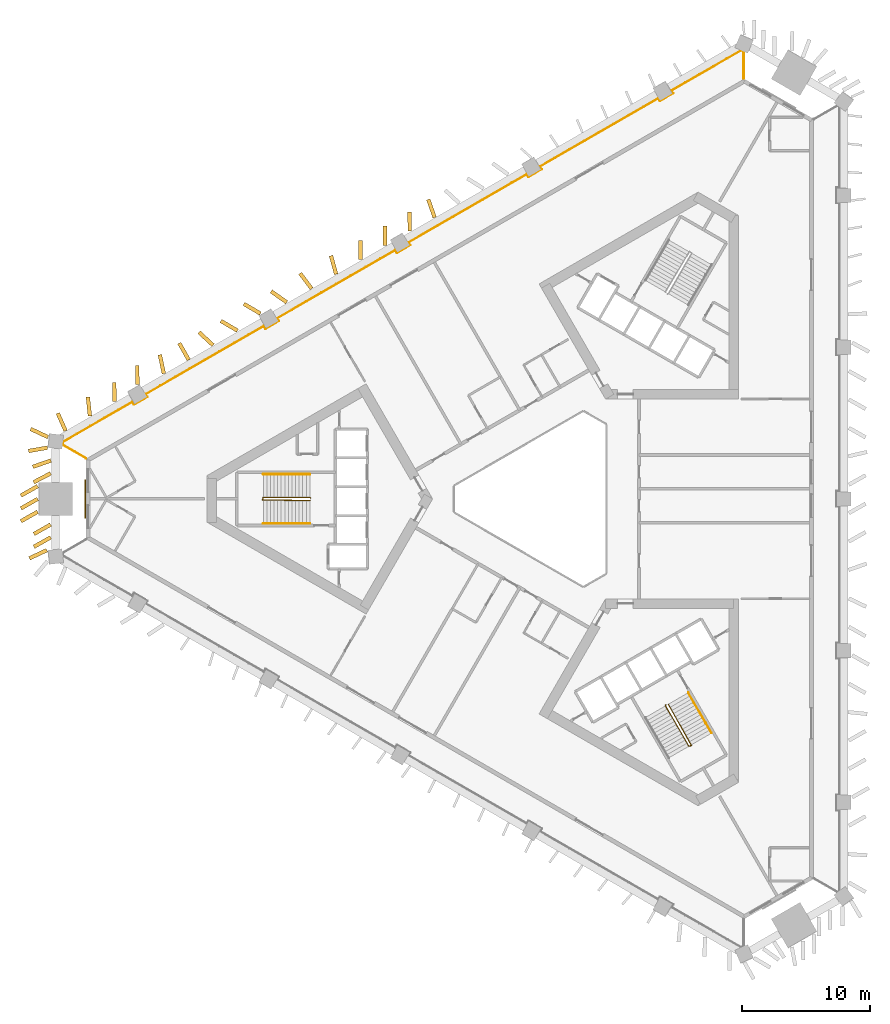
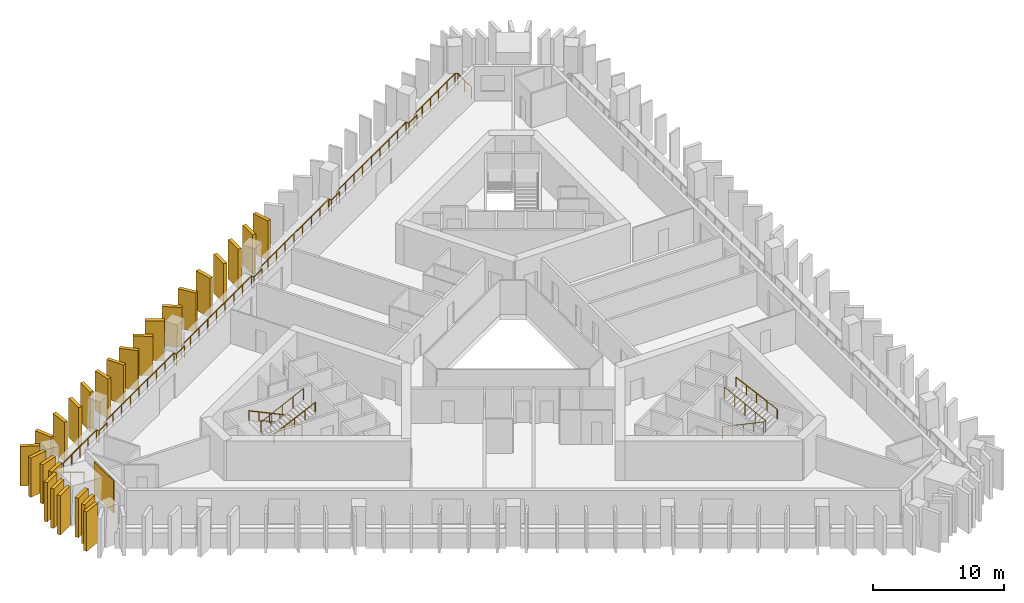
# One storey, part 9 of 11: 26 shading devices, 6 railings, 1 covering.
"""IFC4 building model written with IfcOpenShell, lengths in metres."""

import ifcopenshell
import ifcopenshell.guid

model = None  # the IFC model being written
_history = None  # IfcOwnerHistory: only IFC2X3 demands one
_inside = {}  # id of a spatial element -> (the spatial element, [elements in it])
_under = {}  # id of a project, library or spatial element -> (it, [spatial elements below it])
_declared = {}  # id of a project -> (the project, [libraries it declares])
_typed = {}  # id of a type object -> (the type object, [elements of that type])
_made_of = {}  # id of a material, layer set ... -> (it, [elements and type objects made of it])


def new_model(schema):
    """Start an empty IFC model of exactly this schema.

    Asked for "IFC4X3", IfcOpenShell would pick the latest addendum, in which some entities
    have other attributes; the version numbers below select the first issue.
    IFC2X3 requires an IfcOwnerHistory on every rooted entity: one is made here for all.
    """
    global model, _history
    if schema == "IFC4X3":
        model = ifcopenshell.file(schema_version=(4, 3, 0, 0))
    else:
        model = ifcopenshell.file(schema=schema)
    _inside.clear()
    _under.clear()
    _declared.clear()
    _typed.clear()
    _made_of.clear()
    _history = None
    if model.schema == "IFC2X3":
        org = make("IfcOrganization", Name="unknown")
        user = make(
            "IfcPersonAndOrganization",
            ThePerson=make("IfcPerson", FamilyName="unknown"),
            TheOrganization=org,
        )
        app = make(
            "IfcApplication",
            ApplicationDeveloper=org,
            Version="unknown",
            ApplicationFullName="unknown",
            ApplicationIdentifier="unknown",
        )
        _history = make(
            "IfcOwnerHistory",
            OwningUser=user,
            OwningApplication=app,
            ChangeAction="ADDED",
            CreationDate=0,
        )
    return model


def make(cls, **values):
    """One entity of the class cls with the attributes given. An attribute that is None is left unset."""
    return model.create_entity(
        cls, **{name: value for name, value in values.items() if value is not None}
    )


def rooted(cls, **values):
    """An entity with a GlobalId (a new one), such as an element, a storey or a relation."""
    return make(cls, GlobalId=ifcopenshell.guid.new(), OwnerHistory=_history, **values)


def si_unit(unit_type, name, prefix=None):
    """IfcSIUnit, for example si_unit("LENGTHUNIT", "METRE", prefix="MILLI")."""
    return make("IfcSIUnit", UnitType=unit_type, Prefix=prefix, Name=name)


def assignment(units):
    """IfcUnitAssignment: the units of a project."""
    return None if units is None else make("IfcUnitAssignment", Units=units)


def point(xyz):
    """IfcCartesianPoint."""
    return None if xyz is None else make("IfcCartesianPoint", Coordinates=xyz)


def direction(xyz):
    """IfcDirection."""
    return None if xyz is None else make("IfcDirection", DirectionRatios=xyz)


def frame(location, z_axis=None, x_axis=None):
    """IfcAxis2Placement3D, a coordinate frame: its origin and axes. An axis left out is left unset."""
    return make(
        "IfcAxis2Placement3D",
        Location=point(location),
        Axis=direction(z_axis),
        RefDirection=direction(x_axis),
    )


def frame_2d(location, x_axis=None):
    """IfcAxis2Placement2D, a coordinate frame in the plane: its origin and x axis."""
    return make(
        "IfcAxis2Placement2D", Location=point(location), RefDirection=direction(x_axis)
    )


def origin():
    """The frame at (0, 0, 0) with its axes left unset."""
    return frame((0.0, 0.0, 0.0))


def origin_2d():
    """The frame at (0, 0) in the plane with its x axis left unset."""
    return frame_2d((0.0, 0.0))


def place(relative_to, where):
    """IfcLocalPlacement: puts the frame where relative to a parent placement (None: the world)."""
    return make(
        "IfcLocalPlacement", PlacementRelTo=relative_to, RelativePlacement=where
    )


def context(
    kind, dimensions, precision=None, world=None, true_north=None, identifier=None
):
    """IfcGeometricRepresentationContext, for example the 3D "Model" context."""
    return make(
        "IfcGeometricRepresentationContext",
        ContextIdentifier=identifier,
        ContextType=kind,
        CoordinateSpaceDimension=dimensions,
        Precision=precision,
        WorldCoordinateSystem=world,
        TrueNorth=true_north,
    )


def subcontext(parent, identifier, kind, view, scale=None):
    """IfcGeometricRepresentationSubContext, for example "Body" below "Model"."""
    return make(
        "IfcGeometricRepresentationSubContext",
        ContextIdentifier=identifier,
        ContextType=kind,
        ParentContext=parent,
        TargetScale=scale,
        TargetView=view,
    )


def project(units=None, contexts=None):
    """IfcProject with its units and contexts."""
    return rooted(
        "IfcProject",
        Name="project",
        RepresentationContexts=contexts,
        UnitsInContext=assignment(units),
    )


def spatial(cls, under=None, at=None, **own):
    """A site, building, storey or space (cls), placed at a placement, below another one or the project."""
    s = rooted(cls, ObjectPlacement=at, **own)
    if under is not None:
        _under.setdefault(under.id(), (under, []))[1].append(s)
    return s


def profile(cls, at=None, kind="AREA", **sizes):
    """A parametric profile (cls). Its sizes go by their IFC names, for example OverallWidth=200.0."""
    return make(cls, ProfileType=kind, Position=at, **sizes)


def rectangle(**sizes):
    """IfcRectangleProfileDef."""
    return profile("IfcRectangleProfileDef", **sizes)


def circle(**sizes):
    """IfcCircleProfileDef."""
    return profile("IfcCircleProfileDef", **sizes)


def extrude(swept, where, along, depth):
    """IfcExtrudedAreaSolid: the profile swept, set in the frame where, extruded along a direction by depth."""
    return make(
        "IfcExtrudedAreaSolid",
        SweptArea=swept,
        Position=where,
        ExtrudedDirection=direction(along),
        Depth=depth,
    )


def shape(context_of_items, identifier, shape_type, items):
    """IfcShapeRepresentation: the items that make up one representation, for example the "Body"."""
    return make(
        "IfcShapeRepresentation",
        ContextOfItems=context_of_items,
        RepresentationIdentifier=identifier,
        RepresentationType=shape_type,
        Items=items,
    )


def material(Name=None, Category=None):
    """IfcMaterial."""
    return make("IfcMaterial", Name=Name, Category=Category)


def layer(
    of_material, thickness, ventilated=None, Name=None, Category=None, Priority=None
):
    """IfcMaterialLayer: one layer of a wall or slab, of a material (None: an air gap)."""
    return make(
        "IfcMaterialLayer",
        Material=of_material,
        LayerThickness=thickness,
        IsVentilated=ventilated,
        Name=Name,
        Category=Category,
        Priority=Priority,
    )


def layer_set(layers, Name=None):
    """IfcMaterialLayerSet."""
    return make("IfcMaterialLayerSet", MaterialLayers=layers, LayerSetName=Name)


def made_of(thing, what):
    """Note that an element or type object is made of a material, layer set ...; save() writes the relation."""
    if what is not None:
        _made_of.setdefault(what.id(), (what, []))[1].append(thing)
    return thing


def type_object(cls, material=None, **own):
    """A type object (cls), such as IfcWallType, which elements share."""
    return made_of(rooted(cls, **own), material)


def element(
    cls,
    number,
    at=None,
    inside=None,
    cuts=None,
    type_object=None,
    material=None,
    context=None,
    identifier="Body",
    shape_type=None,
    held_by="IfcProductDefinitionShape",
    body=None,
    shapes=None,
    **own,
):
    """One element of the class cls, such as IfcWall. Its Tag is "e" and its number.

    at: its placement. inside: the storey or other place that contains it. cuts: it is an
    opening in that element (IfcRelVoidsElement). A single representation is given by context,
    identifier, shape_type and body (its items); several are given by shapes. held_by: the class
    of the entity that holds the representations. save() writes the other relations.
    """
    e = rooted(cls, Tag="e%d" % number, ObjectPlacement=at, **own)
    if body is not None:
        shapes = [shape(context, identifier, shape_type, body)]
    if shapes is not None:
        e.Representation = make(held_by, Representations=shapes)
    if inside is not None:
        _inside.setdefault(inside.id(), (inside, []))[1].append(e)
    if cuts is not None:
        rooted(
            "IfcRelVoidsElement", RelatingBuildingElement=cuts, RelatedOpeningElement=e
        )
    if type_object is not None:
        _typed.setdefault(type_object.id(), (type_object, []))[1].append(e)
    return made_of(e, material)


def aggregate(whole, parts):
    """IfcRelAggregates: a whole, such as a stair, and the parts it consists of."""
    return rooted("IfcRelAggregates", RelatingObject=whole, RelatedObjects=parts)


def save(model, path):
    """Write the relations noted so far, then the file.

    IfcRelAggregates (storeys below a building ...), IfcRelContainedInSpatialStructure (elements
    in a storey), IfcRelDefinesByType, IfcRelAssociatesMaterial and IfcRelDeclares: one each for
    every whole, place, type object, material and project.
    """
    for whole, parts in _under.values():
        aggregate(whole, parts)
    for where, things in _inside.values():
        rooted(
            "IfcRelContainedInSpatialStructure",
            RelatedElements=things,
            RelatingStructure=where,
        )
    for kind, things in _typed.values():
        rooted("IfcRelDefinesByType", RelatedObjects=things, RelatingType=kind)
    for what, things in _made_of.values():
        rooted("IfcRelAssociatesMaterial", RelatedObjects=things, RelatingMaterial=what)
    for by, libraries in _declared.values():
        rooted("IfcRelDeclares", RelatingContext=by, RelatedDefinitions=libraries)
    model.write(path)


model = new_model("IFC4")

# Units and contexts
model_context = context("Model", 3, precision=1e-05, world=origin(), true_north=direction((0.0, 1.0)))
body_context = subcontext(model_context, "Body", "Model", "MODEL_VIEW")
ifc_project = project(units=[si_unit("LENGTHUNIT", "METRE"), si_unit("AREAUNIT", "SQUARE_METRE"), si_unit("VOLUMEUNIT", "CUBIC_METRE"), si_unit("PLANEANGLEUNIT", "RADIAN"), si_unit("MASSUNIT", "GRAM", prefix="KILO")], contexts=[model_context])

# Site, building, storey
site_placement = place(None, origin())
site = spatial("IfcSite", under=ifc_project, at=site_placement, CompositionType="ELEMENT")
building_placement = place(site_placement, origin())
building = spatial("IfcBuilding", under=site, at=building_placement, Name="Jabali Bay Hotel Tower and Convention Centre", CompositionType="ELEMENT")
storey_placement = place(building_placement, frame((0.0, 0.0, 75.800048828125)))
storey = spatial("IfcBuildingStorey", under=building, at=storey_placement, Name="L17", CompositionType="ELEMENT", Elevation=75.800048828125)

# Railing
ifc_material_1 = material(Name="Glass", Category="glass")
railing_type_1 = type_object("IfcRailingType", Name="Loggia glass guard 1100", PredefinedType="BALUSTRADE", material=ifc_material_1)
railing_1_placement = place(storey_placement, frame((38.942626953125, 83.171630859375, 0.0)))
element("IfcRailing", 1, at=railing_1_placement, inside=storey, type_object=railing_type_1, Name="Loggia glass guard L17", PredefinedType="BALUSTRADE", context=body_context, shape_type="SweptSolid", body=[
    extrude(circle(Radius=0.02490234375, at=origin_2d()), frame((0.0, 0.0, 1.0751953125), z_axis=(-0.86605653045, 0.499946083158, 0.0), x_axis=(-0.495668975111, -0.858647296774, 0.13052619222)), (0.0, 0.0, 1.0), 2.110595703125),
    extrude(circle(Radius=0.02490234375, at=origin_2d()), frame((-1.827880859375, 1.05517578125, 1.0751953125), z_axis=(0.116049066602, 0.993243481801, 0.0), x_axis=(-0.984746146125, 0.11505625075, 0.13052619222)), (0.0, 0.0, 1.0), 0.214599609375),
    extrude(circle(Radius=0.02490234375, at=origin_2d()), frame((-1.802978515625, 1.268310546875, 1.0751953125), z_axis=(0.866016207726, 0.500015927702, 0.0), x_axis=(-0.495738222126, 0.858607319016, 0.13052619222)), (0.0, 0.0, 1.0), 6.264892578125),
    extrude(circle(Radius=0.02490234375, at=origin_2d()), frame((3.62255859375, 4.40087890625, 1.0751953125), z_axis=(0.499919672301, -0.866071776036, 0.0), x_axis=(0.858662411932, 0.495642790202, 0.13052619222)), (0.0, 0.0, 1.0), 0.25),
    extrude(circle(Radius=0.02490234375, at=origin_2d()), frame((3.74755859375, 4.184326171875, 1.0751953125), z_axis=(0.866043267704, 0.499969057507, 0.0), x_axis=(-0.495691752911, 0.858634147493, 0.13052619222)), (0.0, 0.0, 1.0), 1.19970703125),
    extrude(circle(Radius=0.02490234375, at=origin_2d()), frame((4.78662109375, 4.7841796875, 1.0751953125), z_axis=(-0.499919672301, 0.866071776036, 0.0), x_axis=(-0.858662411932, -0.495642790202, 0.13052619222)), (0.0, 0.0, 1.0), 0.25),
    extrude(circle(Radius=0.02490234375, at=origin_2d()), frame((4.66162109375, 5.000732421875, 1.0751953125), z_axis=(0.866021459358, 0.500006831884, 0.0), x_axis=(-0.495729204123, 0.85861252572, 0.13052619222)), (0.0, 0.0, 1.0), 10.651611328125),
    extrude(circle(Radius=0.02490234375, at=origin_2d()), frame((13.88623046875, 10.32666015625, 1.0751953125), z_axis=(0.499919672301, -0.866071776036, 0.0), x_axis=(0.858662411932, 0.495642790202, 0.13052619222)), (0.0, 0.0, 1.0), 0.25),
    extrude(circle(Radius=0.02490234375, at=origin_2d()), frame((14.01123046875, 10.110107421875, 1.0751953125), z_axis=(0.866006032174, 0.500033551112, 0.0), x_axis=(-0.495755694765, 0.858597230518, 0.13052619222)), (0.0, 0.0, 1.0), 1.2001953125),
    extrude(circle(Radius=0.02490234375, at=origin_2d()), frame((15.050537109375, 10.710205078125, 1.0751953125), z_axis=(-0.500342721131, 0.865827443207, 0.0), x_axis=(-0.858420169404, -0.496062219791, 0.13052619222)), (0.0, 0.0, 1.0), 0.249755859375),
    extrude(circle(Radius=0.02490234375, at=origin_2d()), frame((14.925537109375, 10.926513671875, 1.0751953125), z_axis=(0.866021459358, 0.500006831884, 0.0), x_axis=(-0.495729204123, 0.85861252572, 0.13052619222)), (0.0, 0.0, 1.0), 10.651611328125),
    extrude(circle(Radius=0.02490234375, at=origin_2d()), frame((24.150146484375, 16.25244140625, 1.0751953125), z_axis=(0.499919672301, -0.866071776036, 0.0), x_axis=(0.858662411932, 0.495642790202, 0.13052619222)), (0.0, 0.0, 1.0), 0.25),
    extrude(circle(Radius=0.02490234375, at=origin_2d()), frame((24.275146484375, 16.035888671875, 1.0751953125), z_axis=(0.865955154139, 0.50012165622, 0.0), x_axis=(-0.495843046121, 0.858546787751, 0.13052619222)), (0.0, 0.0, 1.0), 1.199951171875),
    extrude(circle(Radius=0.02490234375, at=origin_2d()), frame((25.314208984375, 16.635986328125, 1.0751953125), z_axis=(-0.500342721131, 0.865827443207, 0.0), x_axis=(-0.858420169404, -0.496062219791, 0.13052619222)), (0.0, 0.0, 1.0), 0.249755859375),
    extrude(circle(Radius=0.02490234375, at=origin_2d()), frame((25.189208984375, 16.852294921875, 1.0751953125), z_axis=(0.866021459358, 0.500006831884, 0.0), x_axis=(-0.495729204123, 0.85861252572, 0.13052619222)), (0.0, 0.0, 1.0), 10.651611328125),
    extrude(circle(Radius=0.02490234375, at=origin_2d()), frame((34.413818359375, 22.17822265625, 1.0751953125), z_axis=(0.499919672301, -0.866071776036, 0.0), x_axis=(0.858662411932, 0.495642790202, 0.13052619222)), (0.0, 0.0, 1.0), 0.25),
    extrude(circle(Radius=0.02490234375, at=origin_2d()), frame((34.538818359375, 21.961669921875, 1.0751953125), z_axis=(0.866006032174, 0.500033551112, 0.0), x_axis=(-0.495755694765, 0.858597230518, 0.13052619222)), (0.0, 0.0, 1.0), 1.2001953125),
    extrude(circle(Radius=0.02490234375, at=origin_2d()), frame((35.578125, 22.561767578125, 1.0751953125), z_axis=(-0.499919672301, 0.866071776036, 0.0), x_axis=(-0.858662411932, -0.495642790202, 0.13052619222)), (0.0, 0.0, 1.0), 0.25),
    extrude(circle(Radius=0.02490234375, at=origin_2d()), frame((35.453125, 22.7783203125, 1.0751953125), z_axis=(0.866031384183, 0.499989641503, 0.0), x_axis=(-0.495712160809, 0.858622365636, 0.13052619222)), (0.0, 0.0, 1.0), 10.651611328125),
    extrude(circle(Radius=0.02490234375, at=origin_2d()), frame((44.677734375, 28.10400390625, 1.0751953125), z_axis=(0.499919672301, -0.866071776036, 0.0), x_axis=(0.858662411932, 0.495642790202, 0.13052619222)), (0.0, 0.0, 1.0), 0.25),
    extrude(circle(Radius=0.02490234375, at=origin_2d()), frame((44.802734375, 27.887451171875, 1.0751953125), z_axis=(0.865955154139, 0.50012165622, 0.0), x_axis=(-0.495843046121, 0.858546787751, 0.13052619222)), (0.0, 0.0, 1.0), 1.199951171875),
    extrude(circle(Radius=0.02490234375, at=origin_2d()), frame((45.841796875, 28.487548828125, 1.0751953125), z_axis=(-0.499919672301, 0.866071776036, 0.0), x_axis=(-0.858662411932, -0.495642790202, 0.13052619222)), (0.0, 0.0, 1.0), 0.25),
    extrude(circle(Radius=0.02490234375, at=origin_2d()), frame((45.716796875, 28.7041015625, 1.0751953125), z_axis=(0.86603308215, 0.499986700445, 0.0), x_axis=(-0.495709244911, 0.858624049077, 0.13052619222)), (0.0, 0.0, 1.0), 6.264892578125),
    extrude(circle(Radius=0.02490234375, at=origin_2d()), frame((51.142333984375, 31.83642578125, 1.0751953125), z_axis=(0.918438029816, -0.395564894029, 0.0), x_axis=(0.392180781525, 0.910580665151, 0.13052619222)), (0.0, 0.0, 1.0), 0.21484375),
    extrude(circle(Radius=0.02490234375, at=origin_2d()), frame((51.339599609375, 31.75146484375, 1.0751953125), z_axis=(0.0, -1.0, 0.0), x_axis=(0.991444861374, 0.0, 0.13052619222)), (0.0, 0.0, 1.0), 2.110595703125),
    extrude(circle(Radius=0.02001953125, at=origin_2d()), origin(), (0.0, 0.0, 1.0), 1.050048828125),
    extrude(circle(Radius=0.02001953125, at=origin_2d()), frame((-0.9140625, 0.527587890625, 0.0)), (0.0, 0.0, 1.0), 1.050048828125),
    extrude(circle(Radius=0.02001953125, at=origin_2d()), frame((-1.827880859375, 1.05517578125, 0.0)), (0.0, 0.0, 1.0), 1.050048828125),
    extrude(circle(Radius=0.02001953125, at=origin_2d()), frame((-1.802978515625, 1.268310546875, 0.0)), (0.0, 0.0, 1.0), 1.050048828125),
    extrude(circle(Radius=0.02001953125, at=origin_2d()), frame((-0.7177734375, 1.894775390625, 0.0)), (0.0, 0.0, 1.0), 1.050048828125),
    extrude(circle(Radius=0.02001953125, at=origin_2d()), frame((0.3671875, 2.521240234375, 0.0)), (0.0, 0.0, 1.0), 1.050048828125),
    extrude(circle(Radius=0.02001953125, at=origin_2d()), frame((1.452392578125, 3.14794921875, 0.0)), (0.0, 0.0, 1.0), 1.050048828125),
    extrude(circle(Radius=0.02001953125, at=origin_2d()), frame((2.537353515625, 3.7744140625, 0.0)), (0.0, 0.0, 1.0), 1.050048828125),
    extrude(circle(Radius=0.02001953125, at=origin_2d()), frame((3.62255859375, 4.40087890625, 0.0)), (0.0, 0.0, 1.0), 1.050048828125),
    extrude(circle(Radius=0.02001953125, at=origin_2d()), frame((3.74755859375, 4.184326171875, 0.0)), (0.0, 0.0, 1.0), 1.050048828125),
    extrude(circle(Radius=0.02001953125, at=origin_2d()), frame((4.78662109375, 4.7841796875, 0.0)), (0.0, 0.0, 1.0), 1.050048828125),
    extrude(circle(Radius=0.02001953125, at=origin_2d()), frame((4.66162109375, 5.000732421875, 0.0)), (0.0, 0.0, 1.0), 1.050048828125),
    extrude(circle(Radius=0.02001953125, at=origin_2d()), frame((5.814697265625, 5.66650390625, 0.0)), (0.0, 0.0, 1.0), 1.050048828125),
    extrude(circle(Radius=0.02001953125, at=origin_2d()), frame((6.9677734375, 6.332275390625, 0.0)), (0.0, 0.0, 1.0), 1.050048828125),
    extrude(circle(Radius=0.02001953125, at=origin_2d()), frame((8.120849609375, 6.998046875, 0.0)), (0.0, 0.0, 1.0), 1.050048828125),
    extrude(circle(Radius=0.02001953125, at=origin_2d()), frame((9.27392578125, 7.66357421875, 0.0)), (0.0, 0.0, 1.0), 1.050048828125),
    extrude(circle(Radius=0.02001953125, at=origin_2d()), frame((10.427001953125, 8.329345703125, 0.0)), (0.0, 0.0, 1.0), 1.050048828125),
    extrude(circle(Radius=0.02001953125, at=origin_2d()), frame((11.580078125, 8.9951171875, 0.0)), (0.0, 0.0, 1.0), 1.050048828125),
    extrude(circle(Radius=0.02001953125, at=origin_2d()), frame((12.733154296875, 9.660888671875, 0.0)), (0.0, 0.0, 1.0), 1.050048828125),
    extrude(circle(Radius=0.02001953125, at=origin_2d()), frame((13.88623046875, 10.32666015625, 0.0)), (0.0, 0.0, 1.0), 1.050048828125),
    extrude(circle(Radius=0.02001953125, at=origin_2d()), frame((14.01123046875, 10.110107421875, 0.0)), (0.0, 0.0, 1.0), 1.050048828125),
    extrude(circle(Radius=0.02001953125, at=origin_2d()), frame((15.050537109375, 10.710205078125, 0.0)), (0.0, 0.0, 1.0), 1.050048828125),
    extrude(circle(Radius=0.02001953125, at=origin_2d()), frame((14.925537109375, 10.926513671875, 0.0)), (0.0, 0.0, 1.0), 1.050048828125),
    extrude(circle(Radius=0.02001953125, at=origin_2d()), frame((16.07861328125, 11.59228515625, 0.0)), (0.0, 0.0, 1.0), 1.050048828125),
    extrude(circle(Radius=0.02001953125, at=origin_2d()), frame((17.231689453125, 12.258056640625, 0.0)), (0.0, 0.0, 1.0), 1.050048828125),
    extrude(circle(Radius=0.02001953125, at=origin_2d()), frame((18.384765625, 12.923828125, 0.0)), (0.0, 0.0, 1.0), 1.050048828125),
    extrude(circle(Radius=0.02001953125, at=origin_2d()), frame((19.537841796875, 13.58935546875, 0.0)), (0.0, 0.0, 1.0), 1.050048828125),
    extrude(circle(Radius=0.02001953125, at=origin_2d()), frame((20.69091796875, 14.255126953125, 0.0)), (0.0, 0.0, 1.0), 1.050048828125),
    extrude(circle(Radius=0.02001953125, at=origin_2d()), frame((21.843994140625, 14.9208984375, 0.0)), (0.0, 0.0, 1.0), 1.050048828125),
    extrude(circle(Radius=0.02001953125, at=origin_2d()), frame((22.9970703125, 15.586669921875, 0.0)), (0.0, 0.0, 1.0), 1.050048828125),
    extrude(circle(Radius=0.02001953125, at=origin_2d()), frame((24.150146484375, 16.25244140625, 0.0)), (0.0, 0.0, 1.0), 1.050048828125),
    extrude(circle(Radius=0.02001953125, at=origin_2d()), frame((24.275146484375, 16.035888671875, 0.0)), (0.0, 0.0, 1.0), 1.050048828125),
    extrude(circle(Radius=0.02001953125, at=origin_2d()), frame((25.314208984375, 16.635986328125, 0.0)), (0.0, 0.0, 1.0), 1.050048828125),
    extrude(circle(Radius=0.02001953125, at=origin_2d()), frame((25.189208984375, 16.852294921875, 0.0)), (0.0, 0.0, 1.0), 1.050048828125),
    extrude(circle(Radius=0.02001953125, at=origin_2d()), frame((26.34228515625, 17.51806640625, 0.0)), (0.0, 0.0, 1.0), 1.050048828125),
    extrude(circle(Radius=0.02001953125, at=origin_2d()), frame((27.495361328125, 18.183837890625, 0.0)), (0.0, 0.0, 1.0), 1.050048828125),
    extrude(circle(Radius=0.02001953125, at=origin_2d()), frame((28.6484375, 18.849609375, 0.0)), (0.0, 0.0, 1.0), 1.050048828125),
    extrude(circle(Radius=0.02001953125, at=origin_2d()), frame((29.801513671875, 19.51513671875, 0.0)), (0.0, 0.0, 1.0), 1.050048828125),
    extrude(circle(Radius=0.02001953125, at=origin_2d()), frame((30.95458984375, 20.180908203125, 0.0)), (0.0, 0.0, 1.0), 1.050048828125),
    extrude(circle(Radius=0.02001953125, at=origin_2d()), frame((32.107666015625, 20.8466796875, 0.0)), (0.0, 0.0, 1.0), 1.050048828125),
    extrude(circle(Radius=0.02001953125, at=origin_2d()), frame((33.2607421875, 21.512451171875, 0.0)), (0.0, 0.0, 1.0), 1.050048828125),
    extrude(circle(Radius=0.02001953125, at=origin_2d()), frame((34.413818359375, 22.17822265625, 0.0)), (0.0, 0.0, 1.0), 1.050048828125),
    extrude(circle(Radius=0.02001953125, at=origin_2d()), frame((34.538818359375, 21.961669921875, 0.0)), (0.0, 0.0, 1.0), 1.050048828125),
    extrude(circle(Radius=0.02001953125, at=origin_2d()), frame((35.578125, 22.561767578125, 0.0)), (0.0, 0.0, 1.0), 1.050048828125),
    extrude(circle(Radius=0.02001953125, at=origin_2d()), frame((35.453125, 22.7783203125, 0.0)), (0.0, 0.0, 1.0), 1.050048828125),
    extrude(circle(Radius=0.02001953125, at=origin_2d()), frame((36.606201171875, 23.444091796875, 0.0)), (0.0, 0.0, 1.0), 1.050048828125),
    extrude(circle(Radius=0.02001953125, at=origin_2d()), frame((37.75927734375, 24.10986328125, 0.0)), (0.0, 0.0, 1.0), 1.050048828125),
    extrude(circle(Radius=0.02001953125, at=origin_2d()), frame((38.912353515625, 24.775390625, 0.0)), (0.0, 0.0, 1.0), 1.050048828125),
    extrude(circle(Radius=0.02001953125, at=origin_2d()), frame((40.0654296875, 25.441162109375, 0.0)), (0.0, 0.0, 1.0), 1.050048828125),
    extrude(circle(Radius=0.02001953125, at=origin_2d()), frame((41.218505859375, 26.10693359375, 0.0)), (0.0, 0.0, 1.0), 1.050048828125),
    extrude(circle(Radius=0.02001953125, at=origin_2d()), frame((42.37158203125, 26.7724609375, 0.0)), (0.0, 0.0, 1.0), 1.050048828125),
    extrude(circle(Radius=0.02001953125, at=origin_2d()), frame((43.524658203125, 27.438232421875, 0.0)), (0.0, 0.0, 1.0), 1.050048828125),
    extrude(circle(Radius=0.02001953125, at=origin_2d()), frame((44.677734375, 28.10400390625, 0.0)), (0.0, 0.0, 1.0), 1.050048828125),
    extrude(circle(Radius=0.02001953125, at=origin_2d()), frame((44.802734375, 27.887451171875, 0.0)), (0.0, 0.0, 1.0), 1.050048828125),
    extrude(circle(Radius=0.02001953125, at=origin_2d()), frame((45.841796875, 28.487548828125, 0.0)), (0.0, 0.0, 1.0), 1.050048828125),
    extrude(circle(Radius=0.02001953125, at=origin_2d()), frame((45.716796875, 28.7041015625, 0.0)), (0.0, 0.0, 1.0), 1.050048828125),
    extrude(circle(Radius=0.02001953125, at=origin_2d()), frame((46.802001953125, 29.33056640625, 0.0)), (0.0, 0.0, 1.0), 1.050048828125),
    extrude(circle(Radius=0.02001953125, at=origin_2d()), frame((47.886962890625, 29.95703125, 0.0)), (0.0, 0.0, 1.0), 1.050048828125),
    extrude(circle(Radius=0.02001953125, at=origin_2d()), frame((48.97216796875, 30.58349609375, 0.0)), (0.0, 0.0, 1.0), 1.050048828125),
    extrude(circle(Radius=0.02001953125, at=origin_2d()), frame((50.05712890625, 31.2099609375, 0.0)), (0.0, 0.0, 1.0), 1.050048828125),
    extrude(circle(Radius=0.02001953125, at=origin_2d()), frame((51.142333984375, 31.83642578125, 0.0)), (0.0, 0.0, 1.0), 1.050048828125),
    extrude(circle(Radius=0.02001953125, at=origin_2d()), frame((51.339599609375, 31.75146484375, 0.0)), (0.0, 0.0, 1.0), 1.050048828125),
    extrude(circle(Radius=0.02001953125, at=origin_2d()), frame((51.339599609375, 30.6962890625, 0.0)), (0.0, 0.0, 1.0), 1.050048828125),
    extrude(circle(Radius=0.02001953125, at=origin_2d()), frame((51.339599609375, 29.640869140625, 0.0)), (0.0, 0.0, 1.0), 1.050048828125),
])

# Shading devices
ifc_material_2 = material(Name="Precast concrete C60", Category="concrete")
ifc_layer_1 = layer(ifc_material_2, 0.300048828125)
ifc_layer_set_1 = layer_set([ifc_layer_1], Name="Precast concrete C60")
shading_device_type = type_object("IfcShadingDeviceType", Name="Precast fin 3680 x 1500", PredefinedType="USERDEFINED", material=ifc_layer_set_1)
for number, where, z_axis, x_axis, name in (
    (2, (66.158935546875, 101.968017578125, 0.010009765625), (0.0, 0.0, 1.0), (-0.332539136878, 0.943089456226, 0.0), "Fin L17 049"),
    (3, (64.214599609375, 100.89892578125, 0.010009765625), (0.0, 0.0, 1.0), (-0.008300495291, 0.999965550296, 0.0), "Fin L17 050"),
    (4, (62.293701171875, 99.789794921875, 0.010009765625), (0.0, 0.0, 1.0), (-0.007975006796, 0.999968199128, 0.0), "Fin L17 051"),
    (5, (60.37255859375, 98.6806640625, 0.010009765625), (0.0, 0.0, 1.0), (-0.007812261592, 0.999969483819, 0.0), "Fin L17 052"),
    (6, (58.4697265625, 97.5400390625, 0.010009765625), (0.0, 0.0, 1.0), (-0.267232538801, 0.96363207201, 0.0), "Fin L17 053"),
    (7, (56.55810546875, 96.41455078125, 0.010009765625), (0.0, 0.0, 1.0), (-0.603224462126, 0.797571469082, 0.0), "Fin L17 054"),
    (8, (54.615234375, 95.343505859375, 0.010009765625), (0.0, 0.0, 1.0), (-0.815127822703, 0.579281134385, 0.0), "Fin L17 055"),
    (9, (52.5595703125, 94.46728515625, 0.010009765625), (0.0, 0.0, 1.0), (-0.862210257959, 0.506550561218, 0.0), "Fin L17 056"),
    (10, (50.767333984375, 93.13525390625, 0.010009765625), (0.0, 0.0, 1.0), (-0.862210257959, 0.506550561218, 0.0), "Fin L17 057"),
    (11, (48.86083984375, 92.00048828125, 0.010009765625), (0.0, 0.0, 1.0), (-0.734391458886, 0.678726148837, 0.0), "Fin L17 058"),
    (12, (46.96142578125, 90.85400390625, 0.010009765625), (0.0, 0.0, 1.0), (-0.492330742986, 0.870408202806, 0.0), "Fin L17 059"),
    (13, (45.017822265625, 89.7841796875, 0.010009765625), (0.0, 0.0, 1.0), (-0.205903837523, 0.978572230187, 0.0), "Fin L17 060"),
    (14, (42.954345703125, 88.921630859375, 0.010009765625), (0.0, 0.0, 1.0), (-0.007649515767, 0.999970742026, 0.0), "Fin L17 061"),
    (15, (41.161865234375, 87.589599609375, 0.010009765625), (0.0, 0.0, 1.0), (-0.007649515767, 0.999970742026, 0.0), "Fin L17 062"),
):
    element("IfcShadingDevice", number, at=place(storey_placement, frame(where, z_axis=z_axis, x_axis=x_axis)), inside=storey, type_object=shading_device_type, Name=name, ObjectType="FIN", PredefinedType="USERDEFINED", context=body_context, shape_type="SweptSolid", body=[
        extrude(rectangle(XDim=1.5, YDim=0.300048828125, at=frame_2d((0.75, 0.0))), origin(), (0.0, 0.0, 1.0), 3.679931640625),
    ])
shading_device_1_placement = place(storey_placement, frame((39.24755859375, 86.468994140625, 0.010009765625), z_axis=(0.0, 0.0, 1.0), x_axis=(-0.106946942858, 0.99426472904, 0.0)))
element("IfcShadingDevice", 16, at=shading_device_1_placement, inside=storey, type_object=shading_device_type, Name="Fin L17 063", ObjectType="FIN", PredefinedType="USERDEFINED", context=body_context, shape_type="SweptSolid", body=[
    extrude(rectangle(XDim=1.499755859375, YDim=0.300048828125, at=frame_2d((0.75, 0.0))), origin(), (0.0, 0.0, 1.0), 3.679931640625),
])
for number, where, z_axis, x_axis, name in (
    (17, (37.34912109375, 85.32080078125, 0.010009765625), (0.0, 0.0, 1.0), (-0.407195216715, 0.913341149563, 0.0), "Fin L17 064"),
    (18, (35.935791015625, 83.99951171875, 0.010009765625), (0.0, 0.0, 1.0), (-0.985540822808, -0.169438149718, 0.0), "Fin L17 065"),
    (19, (36.206298828125, 82.99951171875, 0.010009765625), (0.0, 0.0, 1.0), (-0.94395980508, -0.330060428397, 0.0), "Fin L17 066"),
):
    element("IfcShadingDevice", number, at=place(storey_placement, frame(where, z_axis=z_axis, x_axis=x_axis)), inside=storey, type_object=shading_device_type, Name=name, ObjectType="FIN", PredefinedType="USERDEFINED", context=body_context, shape_type="SweptSolid", body=[
        extrude(rectangle(XDim=1.5, YDim=0.300048828125, at=frame_2d((0.75, 0.0))), origin(), (0.0, 0.0, 1.0), 3.679931640625),
    ])
shading_device_2_placement = place(storey_placement, frame((36.18603515625, 81.999755859375, 0.010009765625), z_axis=(0.0, 0.0, 1.0), x_axis=(-0.885161687014, -0.465283556384, 0.0)))
element("IfcShadingDevice", 20, at=shading_device_2_placement, inside=storey, type_object=shading_device_type, Name="Fin L17 067", ObjectType="FIN", PredefinedType="USERDEFINED", context=body_context, shape_type="SweptSolid", body=[
    extrude(rectangle(XDim=1.500244140625, YDim=0.300048828125, at=frame_2d((0.75, 0.0))), origin(), (0.0, 0.0, 1.0), 3.679931640625),
])
for number, where, z_axis, x_axis, name in (
    (21, (35.16943359375, 80.999755859375, 0.010009765625), (0.0, 0.0, 1.0), (-0.869831289423, -0.493349296078, 0.0), "Fin L17 068"),
    (22, (35.16943359375, 80.0, 0.010009765625), (0.0, 0.0, 1.0), (-0.869831289423, -0.493349296078, 0.0), "Fin L17 069"),
    (23, (35.16943359375, 79.000244140625, 0.010009765625), (0.0, 0.0, 1.0), (-0.86976143765, -0.493472432439, 0.0), "Fin L17 070"),
):
    element("IfcShadingDevice", number, at=place(storey_placement, frame(where, z_axis=z_axis, x_axis=x_axis)), inside=storey, type_object=shading_device_type, Name=name, ObjectType="FIN", PredefinedType="USERDEFINED", context=body_context, shape_type="SweptSolid", body=[
        extrude(rectangle(XDim=1.5, YDim=0.300048828125, at=frame_2d((0.75, 0.0))), origin(), (0.0, 0.0, 1.0), 3.679931640625),
    ])
for number, where, z_axis, x_axis, name in (
    (24, (36.181884765625, 78.000244140625, 0.010009765625), (0.0, 0.0, 1.0), (-0.869870897648, -0.49327945571, 0.0), "Fin L17 071"),
    (25, (36.181884765625, 77.00048828125, 0.010009765625), (0.0, 0.0, 1.0), (-0.869801062468, -0.493402585856, 0.0), "Fin L17 072"),
):
    element("IfcShadingDevice", number, at=place(storey_placement, frame(where, z_axis=z_axis, x_axis=x_axis)), inside=storey, type_object=shading_device_type, Name=name, ObjectType="FIN", PredefinedType="USERDEFINED", context=body_context, shape_type="SweptSolid", body=[
        extrude(rectangle(XDim=1.500244140625, YDim=0.300048828125, at=frame_2d((0.75, 0.0))), origin(), (0.0, 0.0, 1.0), 3.679931640625),
    ])
shading_device_3_placement = place(storey_placement, frame((35.882568359375, 76.00048828125, 0.010009765625), z_axis=(0.0, 0.0, 1.0), x_axis=(-0.904726454836, -0.425993006892, 0.0)))
element("IfcShadingDevice", 26, at=shading_device_3_placement, inside=storey, type_object=shading_device_type, Name="Fin L17 073", ObjectType="FIN", PredefinedType="USERDEFINED", context=body_context, shape_type="SweptSolid", body=[
    extrude(rectangle(XDim=1.499755859375, YDim=0.300048828125, at=frame_2d((0.75, 0.0))), origin(), (0.0, 0.0, 1.0), 3.679931640625),
])
shading_device_4_placement = place(storey_placement, frame((35.979248046875, 84.82470703125, 0.010009765625), z_axis=(0.0, 0.0, 1.0), x_axis=(-0.904973568796, 0.425467789358, 0.0)))
element("IfcShadingDevice", 27, at=shading_device_4_placement, inside=storey, type_object=shading_device_type, Name="Fin L17 114", ObjectType="FIN", PredefinedType="USERDEFINED", context=body_context, shape_type="SweptSolid", body=[
    extrude(rectangle(XDim=1.5, YDim=0.300048828125, at=frame_2d((0.75, 0.0))), origin(), (0.0, 0.0, 1.0), 3.679931640625),
])

# Covering
ifc_material_3 = material(Name="Precast concrete C40/50", Category="concrete")
ifc_layer_2 = layer(ifc_material_3, 0.080078125)
ifc_layer_set_2 = layer_set([ifc_layer_2], Name="Precast concrete C40/50")
covering_type = type_object("IfcCoveringType", Name="Relief panel 3000 x 3000", PredefinedType="CLADDING", material=ifc_layer_set_2)
covering_placement = place(storey_placement, frame((38.902587890625, 80.0, 0.099853515625), z_axis=(0.0, 0.0, 1.0), x_axis=(0.0, 1.0, 0.0)))
element("IfcCovering", 28, at=covering_placement, inside=storey, type_object=covering_type, Name="Relief panel L17", PredefinedType="CLADDING", context=body_context, shape_type="SweptSolid", body=[
    extrude(rectangle(XDim=3.0, YDim=0.080078125, at=origin_2d()), origin(), (0.0, 0.0, 1.0), 3.0),
])

# Railings
ifc_material_4 = material(Name="Steel Q355B", Category="steel")
railing_type_2 = type_object("IfcRailingType", Name="Stair guard 1100", PredefinedType="GUARDRAIL", material=ifc_material_4)
railing_2_placement = place(storey_placement, frame((56.469970703125, 80.074951171875, 0.0)))
element("IfcRailing", 29, at=railing_2_placement, inside=storey, type_object=railing_type_2, Name="L17 ST1 stair guard 1", PredefinedType="GUARDRAIL", context=body_context, shape_type="SweptSolid", body=[
    extrude(circle(Radius=0.02392578125, at=origin_2d()), frame((0.0, 0.0, 1.076171875), z_axis=(-0.333993628408, 0.333993628408, 0.881417331555), x_axis=(-0.707106781187, -0.707106781187, 0.0)), (0.0, 0.0, 1.0), 0.14990234375),
    extrude(circle(Radius=0.02392578125, at=origin_2d()), frame((-0.050048828125, 0.050048828125, 1.2080078125), z_axis=(-0.904350763662, 0.0, 0.426789990819), x_axis=(0.0, -1.0, 0.0)), (0.0, 0.0, 1.0), 4.02490234375),
    extrude(circle(Radius=0.02392578125, at=origin_2d()), frame((-3.68994140625, 0.050048828125, 2.92578125), z_axis=(-0.242814311512, -0.970072785993, 0.0), x_axis=(0.970072785993, -0.242814311512, 0.0)), (0.0, 0.0, 1.0), 0.2060546875),
    extrude(circle(Radius=0.02392578125, at=origin_2d()), frame((-3.739990234375, -0.14990234375, 2.92578125), z_axis=(0.893864111827, -0.012124000458, 0.448174026692), x_axis=(0.013562335953, 0.999908027292, 0.0)), (0.0, 0.0, 1.0), 4.128173828125),
    extrude(circle(Radius=0.02099609375, at=origin_2d()), origin(), (0.0, 0.0, 1.0), 1.052001953125),
    extrude(circle(Radius=0.02099609375, at=origin_2d()), frame((-0.050048828125, 0.050048828125, 0.132080078125)), (0.0, 0.0, 1.0), 1.052001953125),
    extrude(circle(Radius=0.02099609375, at=origin_2d()), frame((-0.9599609375, 0.050048828125, 0.5615234375)), (0.0, 0.0, 1.0), 1.052001953125),
    extrude(circle(Radius=0.02099609375, at=origin_2d()), frame((-1.8701171875, 0.050048828125, 0.990966796875)), (0.0, 0.0, 1.0), 1.052001953125),
    extrude(circle(Radius=0.02099609375, at=origin_2d()), frame((-2.780029296875, 0.050048828125, 1.42041015625)), (0.0, 0.0, 1.0), 1.052001953125),
    extrude(circle(Radius=0.02099609375, at=origin_2d()), frame((-3.68994140625, 0.050048828125, 1.849853515625)), (0.0, 0.0, 1.0), 1.052001953125),
    extrude(circle(Radius=0.02099609375, at=origin_2d()), frame((-3.739990234375, -0.14990234375, 1.849853515625)), (0.0, 0.0, 1.0), 1.052001953125),
    extrude(circle(Radius=0.02099609375, at=origin_2d()), frame((-2.8173828125, -0.162353515625, 2.3125)), (0.0, 0.0, 1.0), 1.052001953125),
    extrude(circle(Radius=0.02099609375, at=origin_2d()), frame((-1.89501953125, -0.1748046875, 2.77490234375)), (0.0, 0.0, 1.0), 1.052001953125),
    extrude(circle(Radius=0.02099609375, at=origin_2d()), frame((-0.97265625, -0.1875, 3.2373046875)), (0.0, 0.0, 1.0), 1.052001953125),
    extrude(circle(Radius=0.02099609375, at=origin_2d()), frame((-0.050048828125, -0.199951171875, 3.699951171875)), (0.0, 0.0, 1.0), 1.052001953125),
])
railing_3_placement = place(storey_placement, frame((84.199951171875, 63.9150390625, 0.0)))
element("IfcRailing", 30, at=railing_3_placement, inside=storey, type_object=railing_type_2, Name="L17 ST3 stair guard 1", PredefinedType="GUARDRAIL", context=body_context, shape_type="SweptSolid", body=[
    extrude(circle(Radius=0.02392578125, at=origin_2d()), frame((0.0, 0.0, 1.076171875), z_axis=(-0.122196845461, -0.456201556387, 0.881446578591), x_axis=(0.965948051503, -0.258736085224, 0.0)), (0.0, 0.0, 1.0), 0.14990234375),
    extrude(circle(Radius=0.02392578125, at=origin_2d()), frame((-0.018310546875, -0.068359375, 1.2080078125), z_axis=(0.452190331055, -0.783190014029, 0.426775475427), x_axis=(0.866018046521, 0.500012742938, 0.0)), (0.0, 0.0, 1.0), 4.02490234375),
    extrude(circle(Radius=0.02392578125, at=origin_2d()), frame((1.8017578125, -3.220703125, 2.92578125), z_axis=(0.96121063429, 0.275815366736, 0.0), x_axis=(-0.275815366736, 0.96121063429, 0.0)), (0.0, 0.0, 1.0), 0.206298828125),
    extrude(circle(Radius=0.02392578125, at=origin_2d()), frame((2.0, -3.163818359375, 2.92578125), z_axis=(-0.436470229993, 0.780146179382, 0.448180406895), x_axis=(-0.872702246529, -0.488252792008, 0.0)), (0.0, 0.0, 1.0), 4.1279296875),
    extrude(circle(Radius=0.02099609375, at=origin_2d()), origin(), (0.0, 0.0, 1.0), 1.052001953125),
    extrude(circle(Radius=0.02099609375, at=origin_2d()), frame((-0.018310546875, -0.068359375, 0.132080078125)), (0.0, 0.0, 1.0), 1.052001953125),
    extrude(circle(Radius=0.02099609375, at=origin_2d()), frame((0.436767578125, -0.8564453125, 0.5615234375)), (0.0, 0.0, 1.0), 1.052001953125),
    extrude(circle(Radius=0.02099609375, at=origin_2d()), frame((0.8916015625, -1.64453125, 0.990966796875)), (0.0, 0.0, 1.0), 1.052001953125),
    extrude(circle(Radius=0.02099609375, at=origin_2d()), frame((1.3466796875, -2.4326171875, 1.42041015625)), (0.0, 0.0, 1.0), 1.052001953125),
    extrude(circle(Radius=0.02099609375, at=origin_2d()), frame((1.8017578125, -3.220703125, 1.849853515625)), (0.0, 0.0, 1.0), 1.052001953125),
    extrude(circle(Radius=0.02099609375, at=origin_2d()), frame((2.0, -3.163818359375, 1.849853515625)), (0.0, 0.0, 1.0), 1.052001953125),
    extrude(circle(Radius=0.02099609375, at=origin_2d()), frame((1.549560546875, -2.358642578125, 2.3125)), (0.0, 0.0, 1.0), 1.052001953125),
    extrude(circle(Radius=0.02099609375, at=origin_2d()), frame((1.09912109375, -1.5537109375, 2.77490234375)), (0.0, 0.0, 1.0), 1.052001953125),
    extrude(circle(Radius=0.02099609375, at=origin_2d()), frame((0.648681640625, -0.74853515625, 3.2373046875)), (0.0, 0.0, 1.0), 1.052001953125),
    extrude(circle(Radius=0.02099609375, at=origin_2d()), frame((0.1982421875, 0.056640625, 3.699951171875)), (0.0, 0.0, 1.0), 1.052001953125),
])
railing_type_3 = type_object("IfcRailingType", Name="Stair handrail 900", PredefinedType="HANDRAIL", material=ifc_material_4)
railing_4_placement = place(storey_placement, frame((56.419921875, 81.925048828125, 0.132080078125)))
element("IfcRailing", 31, at=railing_4_placement, inside=storey, type_object=railing_type_3, Name="L17 ST1 stair handrail 1", PredefinedType="HANDRAIL", context=body_context, shape_type="SweptSolid", body=[
    extrude(circle(Radius=0.02392578125, at=origin_2d()), frame((0.0, 0.0, 0.8759765625), z_axis=(-0.904350763662, 0.0, 0.426789990819), x_axis=(0.0, -1.0, 0.0)), (0.0, 0.0, 1.0), 4.02490234375),
    extrude(circle(Radius=0.02099609375, at=origin_2d()), origin(), (0.0, 0.0, 1.0), 0.851806640625),
    extrude(circle(Radius=0.02099609375, at=origin_2d()), frame((-0.909912109375, 0.0, 0.429443359375)), (0.0, 0.0, 1.0), 0.851806640625),
    extrude(circle(Radius=0.02099609375, at=origin_2d()), frame((-1.81982421875, 0.0, 0.85888671875)), (0.0, 0.0, 1.0), 0.851806640625),
    extrude(circle(Radius=0.02099609375, at=origin_2d()), frame((-2.72998046875, 0.0, 1.288330078125)), (0.0, 0.0, 1.0), 0.851806640625),
    extrude(circle(Radius=0.02099609375, at=origin_2d()), frame((-3.639892578125, 0.0, 1.7177734375)), (0.0, 0.0, 1.0), 0.851806640625),
])
railing_5_placement = place(storey_placement, frame((52.780029296875, 78.074951171875, 1.982177734375)))
element("IfcRailing", 32, at=railing_5_placement, inside=storey, type_object=railing_type_3, Name="L17 ST1 stair handrail 2", PredefinedType="HANDRAIL", context=body_context, shape_type="SweptSolid", body=[
    extrude(circle(Radius=0.02392578125, at=origin_2d()), frame((0.0, 0.0, 0.8759765625), z_axis=(0.904350763662, 0.0, 0.426789990819), x_axis=(0.0, 1.0, 0.0)), (0.0, 0.0, 1.0), 4.02490234375),
    extrude(circle(Radius=0.02099609375, at=origin_2d()), origin(), (0.0, 0.0, 1.0), 0.851806640625),
    extrude(circle(Radius=0.02099609375, at=origin_2d()), frame((0.909912109375, 0.0, 0.429443359375)), (0.0, 0.0, 1.0), 0.851806640625),
    extrude(circle(Radius=0.02099609375, at=origin_2d()), frame((1.81982421875, 0.0, 0.85888671875)), (0.0, 0.0, 1.0), 0.851806640625),
    extrude(circle(Radius=0.02099609375, at=origin_2d()), frame((2.72998046875, 0.0, 1.288330078125)), (0.0, 0.0, 1.0), 0.851806640625),
    extrude(circle(Radius=0.02099609375, at=origin_2d()), frame((3.639892578125, 0.0, 1.7177734375)), (0.0, 0.0, 1.0), 0.851806640625),
])
railing_6_placement = place(storey_placement, frame((87.777099609375, 61.719482421875, 1.982177734375)))
element("IfcRailing", 33, at=railing_6_placement, inside=storey, type_object=railing_type_3, Name="L17 ST3 stair handrail 2", PredefinedType="HANDRAIL", context=body_context, shape_type="SweptSolid", body=[
    extrude(circle(Radius=0.02392578125, at=origin_2d()), frame((0.0, 0.0, 0.8759765625), z_axis=(-0.452190331055, 0.783190014029, 0.426775475427), x_axis=(-0.866018046521, -0.500012742938, 0.0)), (0.0, 0.0, 1.0), 4.02490234375),
    extrude(circle(Radius=0.02099609375, at=origin_2d()), origin(), (0.0, 0.0, 1.0), 0.851806640625),
    extrude(circle(Radius=0.02099609375, at=origin_2d()), frame((-0.455078125, 0.7880859375, 0.429443359375)), (0.0, 0.0, 1.0), 0.851806640625),
    extrude(circle(Radius=0.02099609375, at=origin_2d()), frame((-0.91015625, 1.576171875, 0.85888671875)), (0.0, 0.0, 1.0), 0.851806640625),
    extrude(circle(Radius=0.02099609375, at=origin_2d()), frame((-1.364990234375, 2.3642578125, 1.288330078125)), (0.0, 0.0, 1.0), 0.851806640625),
    extrude(circle(Radius=0.02099609375, at=origin_2d()), frame((-1.820068359375, 3.15234375, 1.7177734375)), (0.0, 0.0, 1.0), 0.851806640625),
])

save(model, "model.ifc")
